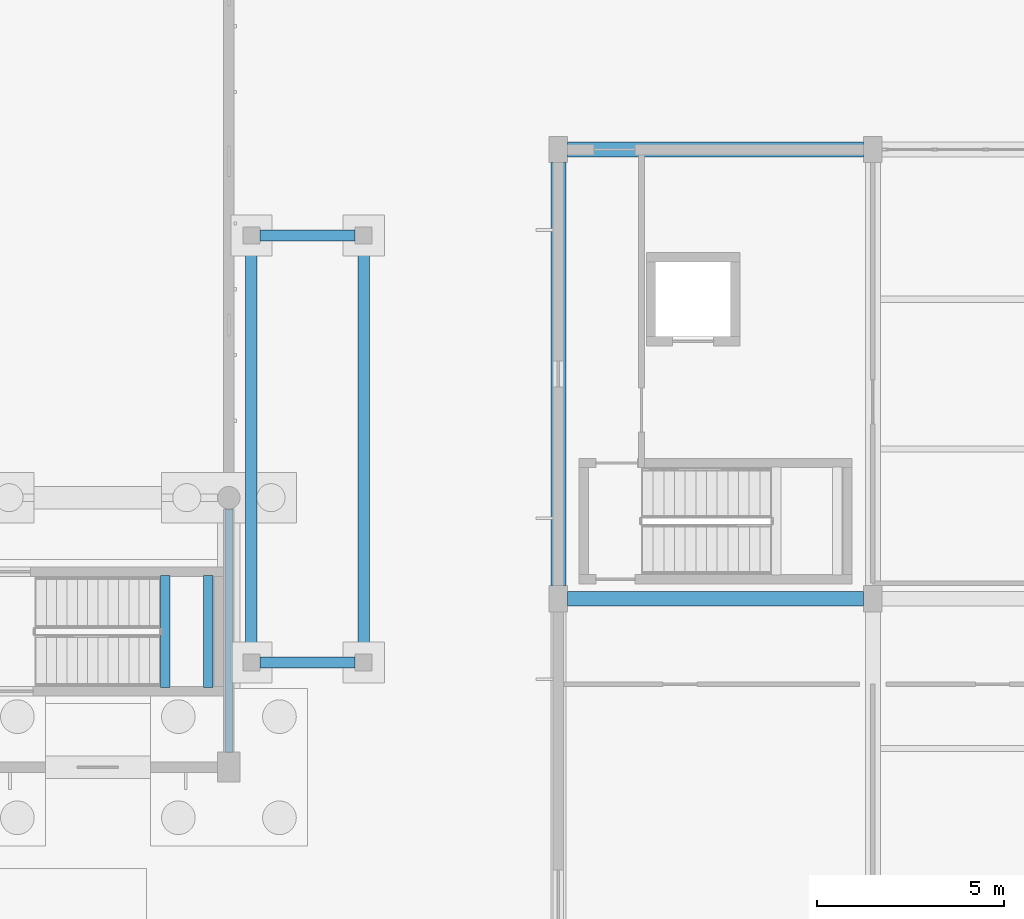
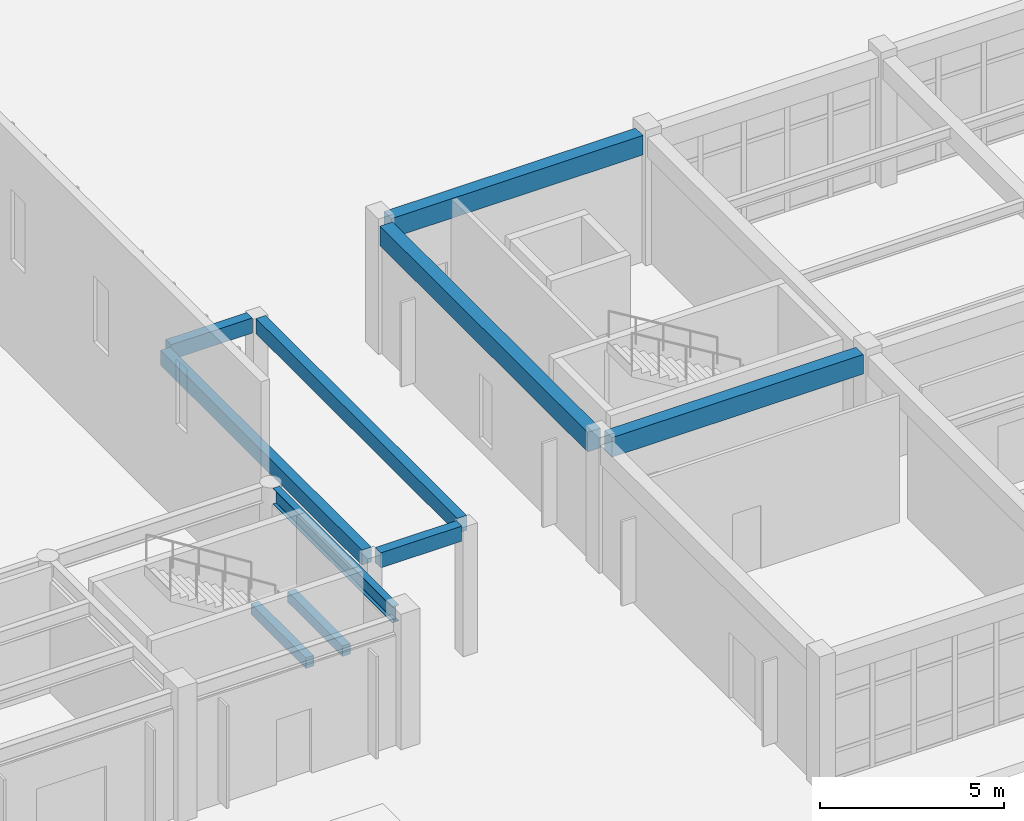
# One storey, part 21 of 154: 10 beams.
"""IFC4 building model written with IfcOpenShell, lengths in metres."""

from ifc_helpers import new_model, si_unit, direction, frame, origin, origin_2d, place, context, subcontext, project, spatial, rectangle, i_section, extrude, material, material_profile, profile_set, type_object, element, save


model = new_model("IFC4")

# Units and contexts
model_context = context("Model", 3, precision=1e-05, world=origin(), true_north=direction((0.0, 1.0)))
body_context = subcontext(model_context, "Body", "Model", "MODEL_VIEW")
ifc_project = project(units=[si_unit("LENGTHUNIT", "METRE"), si_unit("AREAUNIT", "SQUARE_METRE"), si_unit("VOLUMEUNIT", "CUBIC_METRE"), si_unit("PLANEANGLEUNIT", "RADIAN"), si_unit("MASSUNIT", "GRAM", prefix="KILO")], contexts=[model_context])

# Site, building, storey
site_placement = place(None, origin())
site = spatial("IfcSite", under=ifc_project, at=site_placement, CompositionType="ELEMENT")
building_placement = place(site_placement, origin())
building = spatial("IfcBuilding", under=site, at=building_placement, Name="Kestramere Prow Commons", CompositionType="ELEMENT")
storey_placement = place(building_placement, origin())
storey = spatial("IfcBuildingStorey", under=building, at=storey_placement, Name="L00", CompositionType="ELEMENT", Elevation=0.0)

# Beams
ifc_material_1 = material(Name="Steel S355JR", Category="steel")
ifc_material_profile_1 = material_profile(ifc_material_1, i_section(OverallWidth=0.209228515625, OverallDepth=0.533203125, WebThickness=0.010009765625, FlangeThickness=0.015625, FilletRadius=0.0126953125, at=origin_2d()), Name="UB 533x210x92")
ifc_profile_set_1 = profile_set([ifc_material_profile_1], Name="Steel S355JR")
beam_type_1 = type_object("IfcBeamType", Name="BM-HL-GAL UB 533x210x92", PredefinedType="BEAM", material=ifc_profile_set_1)
beam_1_placement = place(storey_placement, frame((51.199951171875, 7.89990234375, 3.933349609375), z_axis=(0.0, 1.0, 0.0), x_axis=(-1.0, 0.0, 0.0)))
element("IfcBeam", 1, at=beam_1_placement, inside=storey, type_object=beam_type_1, Name="Hall Gallery Cross-Beam 8", PredefinedType="BEAM", context=body_context, shape_type="SweptSolid", body=[
    extrude(i_section(OverallWidth=0.209228515625, OverallDepth=0.533203125, WebThickness=0.010009765625, FlangeThickness=0.015625, FilletRadius=0.0126953125, at=origin_2d()), origin(), (0.0, 0.0, 1.0), 6.5),
])
ifc_material_2 = material(Name="Precast concrete C40/50", Category="concrete")
ifc_material_profile_2 = material_profile(ifc_material_2, rectangle(XDim=0.39990234375, YDim=0.64990234375, at=origin_2d()), Name="PC-BM 400x650")
ifc_profile_set_2 = profile_set([ifc_material_profile_2], Name="Precast concrete C40/50")
beam_type_2 = type_object("IfcBeamType", Name="BM-MK-01 PC-BM 400x650", PredefinedType="BEAM", material=ifc_profile_set_2)
beam_2_placement = place(storey_placement, frame((60.25, 12.0, 3.925048828125), z_axis=(1.0, 0.0, 0.0), x_axis=(0.0, 1.0, 0.0)))
element("IfcBeam", 2, at=beam_2_placement, inside=storey, type_object=beam_type_2, Name="Market Spine L00 Beam X 2-1", PredefinedType="BEAM", context=body_context, shape_type="SweptSolid", body=[
    extrude(rectangle(XDim=0.39990234375, YDim=0.64990234375, at=origin_2d()), origin(), (0.0, 0.0, 1.0), 7.89990234375),
])
ifc_material_profile_3 = material_profile(ifc_material_2, rectangle(XDim=0.39990234375, YDim=0.64990234375, at=origin_2d()), Name="PC-BM 400x650")
ifc_profile_set_3 = profile_set([ifc_material_profile_3], Name="Precast concrete C40/50")
beam_type_3 = type_object("IfcBeamType", Name="BM-MK-01 PC-BM 400x650 (EX)", PredefinedType="BEAM", material=ifc_profile_set_3)
beam_3_placement = place(storey_placement, frame((60.25, 24.0, 3.925048828125), z_axis=(1.0, 0.0, 0.0), x_axis=(0.0, 1.0, 0.0)))
element("IfcBeam", 3, at=beam_3_placement, inside=storey, type_object=beam_type_3, Name="Market Spine L00 Beam X 3-1", PredefinedType="BEAM", context=body_context, shape_type="SweptSolid", body=[
    extrude(rectangle(XDim=0.39990234375, YDim=0.64990234375, at=origin_2d()), origin(), (0.0, 0.0, 1.0), 7.89990234375),
])
beam_4_placement = place(storey_placement, frame((60.0, 12.35009765625, 3.925048828125), z_axis=(0.0, 1.0, 0.0), x_axis=(-1.0, 0.0, 0.0)))
element("IfcBeam", 4, at=beam_4_placement, inside=storey, type_object=beam_type_3, Name="Market Spine L00 Beam Y 1-2", PredefinedType="BEAM", context=body_context, shape_type="SweptSolid", body=[
    extrude(rectangle(XDim=0.39990234375, YDim=0.64990234375, at=origin_2d()), origin(), (0.0, 0.0, 1.0), 11.2998046875),
])
ifc_material_3 = material(Name="Concrete C40/50", Category="concrete")
ifc_material_profile_4 = material_profile(ifc_material_3, rectangle(XDim=0.25, YDim=0.35009765625, at=origin_2d()), Name="PC-BM 250x350")
ifc_profile_set_4 = profile_set([ifc_material_profile_4], Name="Concrete C40/50")
beam_type_4 = type_object("IfcBeamType", Name="BM-ST-TRIM", PredefinedType="BEAM", material=ifc_profile_set_4)
for number, where, z_axis, x_axis, name in (
    (5, (49.5, 9.6298828125, 1.875), (0.0, 1.0, 0.0), (-1.0, 0.0, 0.0), "ST-H2 L00 Landing Trimmer Beam 1A"),
    (6, (50.64990234375, 9.6298828125, 1.875), (0.0, 1.0, 0.0), (-1.0, 0.0, 0.0), "ST-H2 L00 Landing Trimmer Beam 1B"),
):
    element("IfcBeam", number, at=place(storey_placement, frame(where, z_axis=z_axis, x_axis=x_axis)), inside=storey, type_object=beam_type_4, Name=name, PredefinedType="BEAM", context=body_context, shape_type="SweptSolid", body=[
        extrude(rectangle(XDim=0.25, YDim=0.35009765625, at=origin_2d()), origin(), (0.0, 0.0, 1.0), 2.990234375),
    ])
ifc_material_profile_5 = material_profile(ifc_material_2, rectangle(XDim=0.300048828125, YDim=0.5, at=origin_2d()), Name="PC-BM 300x500")
ifc_profile_set_5 = profile_set([ifc_material_profile_5], Name="Precast concrete C40/50")
beam_type_5 = type_object("IfcBeamType", Name="BM-TIE-01 PC-BM 300x500 (EX)", PredefinedType="BEAM", material=ifc_profile_set_5)
for number, where, z_axis, x_axis, name in (
    (7, (52.02490234375, 10.300048828125, 4.050048828125), (1.0, 0.0, 0.0), (0.0, 1.0, 0.0), "Canopy WEST Transverse Beam 1"),
    (8, (52.02490234375, 21.699951171875, 4.050048828125), (1.0, 0.0, 0.0), (0.0, 1.0, 0.0), "Canopy WEST Transverse Beam 2"),
):
    element("IfcBeam", number, at=place(storey_placement, frame(where, z_axis=z_axis, x_axis=x_axis)), inside=storey, type_object=beam_type_5, Name=name, PredefinedType="BEAM", context=body_context, shape_type="SweptSolid", body=[
        extrude(rectangle(XDim=0.300048828125, YDim=0.5, at=origin_2d()), origin(), (0.0, 0.0, 1.0), 2.550048828125),
    ])
for number, where, z_axis, x_axis, name in (
    (9, (51.800048828125, 10.52490234375, 4.050048828125), (0.0, 1.0, 0.0), (-1.0, 0.0, 0.0), "Canopy WEST Longitudinal Beam 1"),
    (10, (54.800048828125, 10.52490234375, 4.050048828125), (0.0, 1.0, 0.0), (-1.0, 0.0, 0.0), "Canopy WEST Longitudinal Beam 2"),
):
    element("IfcBeam", number, at=place(storey_placement, frame(where, z_axis=z_axis, x_axis=x_axis)), inside=storey, type_object=beam_type_5, Name=name, PredefinedType="BEAM", context=body_context, shape_type="SweptSolid", body=[
        extrude(rectangle(XDim=0.300048828125, YDim=0.5, at=origin_2d()), origin(), (0.0, 0.0, 1.0), 10.9501953125),
    ])

save(model, "model.ifc")
